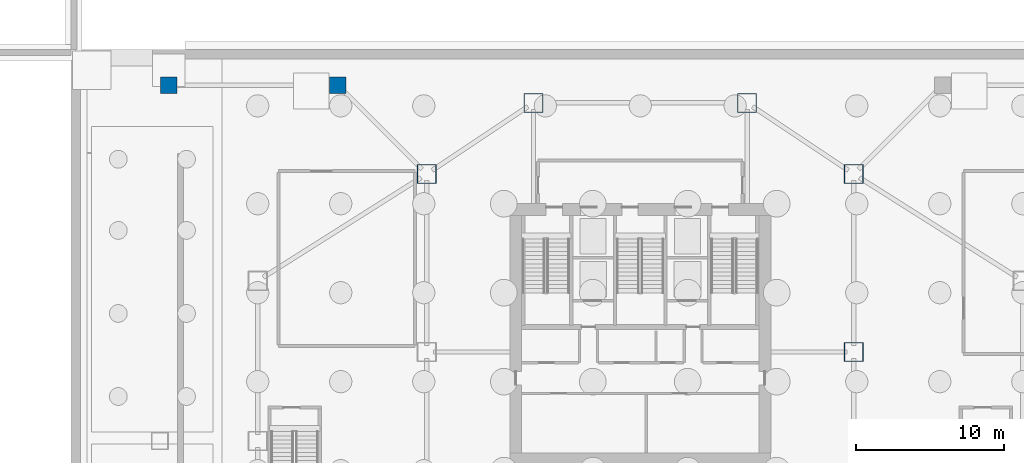
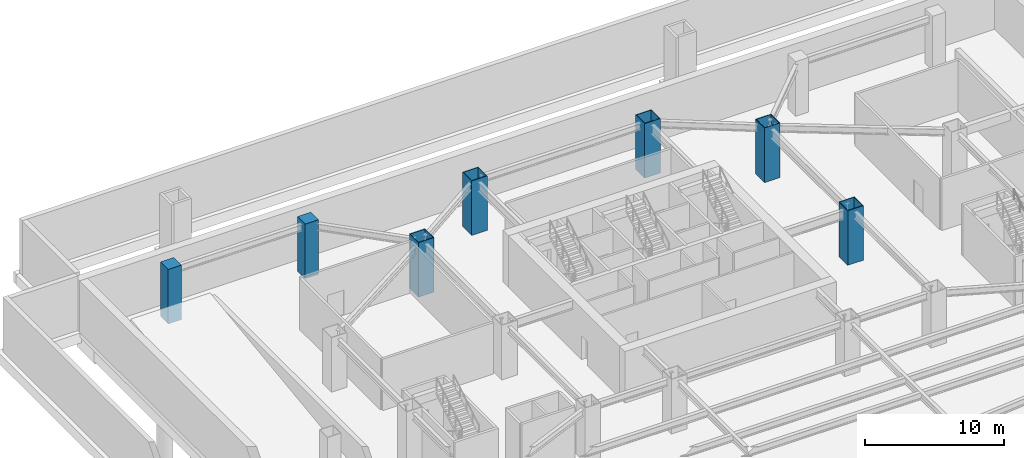
# One storey, part 3 of 15: 7 columns.
"""IFC4 building model written with IfcOpenShell, lengths in metres."""

from ifc_helpers import new_model, si_unit, direction, frame, origin, origin_2d, place, context, subcontext, project, spatial, rectangle, hollow_rectangle, extrude, material, material_profile, profile_set, type_object, element, save


model = new_model("IFC4")

# Units and contexts
model_context = context("Model", 3, precision=1e-05, world=origin(), true_north=direction((0.0, 1.0)))
body_context = subcontext(model_context, "Body", "Model", "MODEL_VIEW")
ifc_project = project(units=[si_unit("LENGTHUNIT", "METRE"), si_unit("AREAUNIT", "SQUARE_METRE"), si_unit("VOLUMEUNIT", "CUBIC_METRE"), si_unit("PLANEANGLEUNIT", "RADIAN"), si_unit("MASSUNIT", "GRAM", prefix="KILO")], contexts=[model_context])

# Site, building, storey
site_placement = place(None, origin())
site = spatial("IfcSite", under=ifc_project, at=site_placement, CompositionType="ELEMENT")
building_placement = place(site_placement, origin())
building = spatial("IfcBuilding", under=site, at=building_placement, Name="Haolan Belvedere Tower", CompositionType="ELEMENT")
storey_placement = place(building_placement, frame((0.0, 0.0, -9.60009765625)))
storey = spatial("IfcBuildingStorey", under=building, at=storey_placement, Name="B2", CompositionType="ELEMENT", Elevation=-9.60009765625)

# Columns
ifc_material_1 = material(Name="Steel Q355B", Category="steel")
ifc_material_profile_1 = material_profile(ifc_material_1, hollow_rectangle(XDim=1.300048828125, YDim=1.300048828125, WallThickness=0.048095703125, at=origin_2d()), Name="Steel Q355B")
ifc_profile_set_1 = profile_set([ifc_material_profile_1], Name="Steel Q355B")
column_type_1 = type_object("IfcColumnType", Name="COL-BOX1300x1300x48", PredefinedType="COLUMN", material=ifc_profile_set_1)
for number, where, z_axis, x_axis, name in (
    (1, (24.0, 45.60009765625, 0.0), (0.0, 0.0, 1.0), (1.0, 0.0, 0.0), "B2 column MC-T3-NW (BOX1300x1300x48)"),
    (2, (52.800048828125, 33.60009765625, 0.0), (0.0, 0.0, 1.0), (1.0, 0.0, 0.0), "B2 column MC-T3-ME (BOX1300x1300x48)"),
    (3, (52.800048828125, 45.60009765625, 0.0), (0.0, 0.0, 1.0), (1.0, 0.0, 0.0), "B2 column MC-T3-NE (BOX1300x1300x48)"),
    (4, (31.199951171875, 50.39990234375, 0.0), (0.0, 0.0, 1.0), (1.0, 0.0, 0.0), "B2 column MC-T3-N1 (BOX1300x1300x48)"),
    (5, (45.60009765625, 50.39990234375, 0.0), (0.0, 0.0, 1.0), (1.0, 0.0, 0.0), "B2 column MC-T3-N2 (BOX1300x1300x48)"),
):
    element("IfcColumn", number, at=place(storey_placement, frame(where, z_axis=z_axis, x_axis=x_axis)), inside=storey, type_object=column_type_1, Name=name, PredefinedType="COLUMN", context=body_context, shape_type="SweptSolid", body=[
        extrude(hollow_rectangle(XDim=1.300048828125, YDim=1.300048828125, WallThickness=0.048095703125, at=origin_2d()), origin(), (0.0, 0.0, 1.0), 4.800048828125),
    ])
ifc_material_2 = material(Name="Concrete C50/60", Category="concrete")
ifc_material_profile_2 = material_profile(ifc_material_2, rectangle(XDim=1.10009765625, YDim=1.10009765625, at=origin_2d()), Name="Concrete C50/60")
ifc_profile_set_2 = profile_set([ifc_material_profile_2], Name="Concrete C50/60")
column_type_2 = type_object("IfcColumnType", Name="COL-RC1100x1100", PredefinedType="COLUMN", material=ifc_profile_set_2)
for number, where, z_axis, x_axis, name in (
    (6, (6.60009765625, 51.60009765625, 0.0), (0.0, 0.0, 1.0), (1.0, 0.0, 0.0), "B2 column PC-NW-1 (RC1100x1100)"),
    (7, (18.0, 51.60009765625, 0.0), (0.0, 0.0, 1.0), (1.0, 0.0, 0.0), "B2 column PC-NW-2 (RC1100x1100)"),
):
    element("IfcColumn", number, at=place(storey_placement, frame(where, z_axis=z_axis, x_axis=x_axis)), inside=storey, type_object=column_type_2, Name=name, PredefinedType="COLUMN", context=body_context, shape_type="SweptSolid", body=[
        extrude(rectangle(XDim=1.10009765625, YDim=1.10009765625, at=origin_2d()), origin(), (0.0, 0.0, 1.0), 4.800048828125),
    ])

save(model, "model.ifc")
